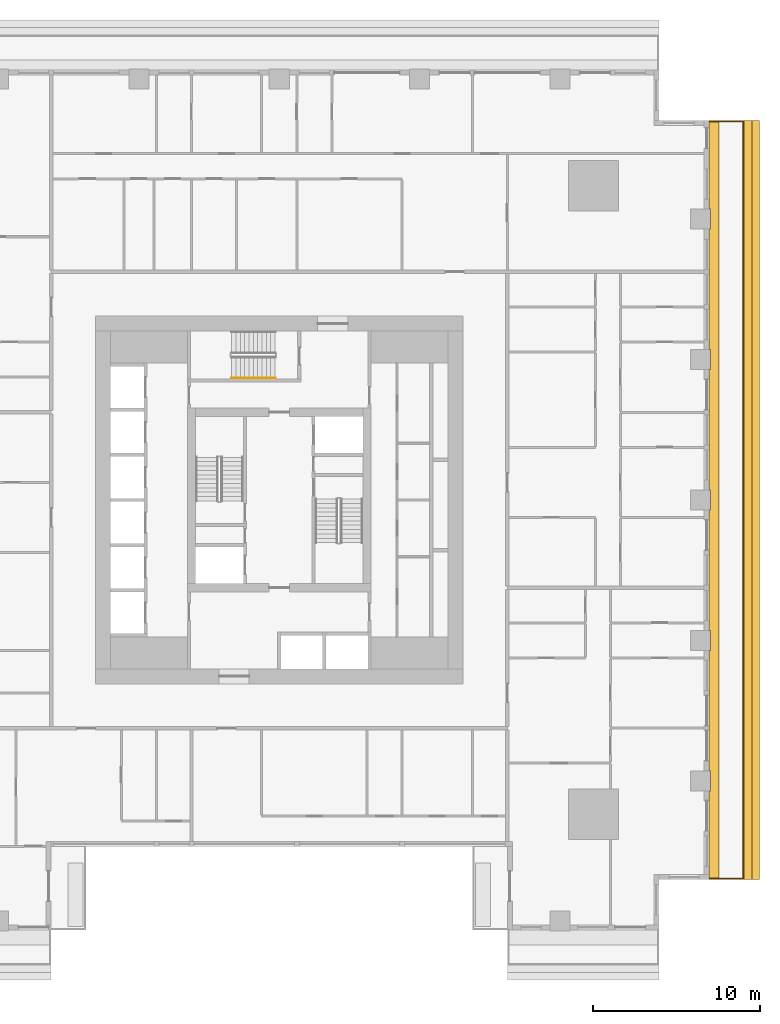
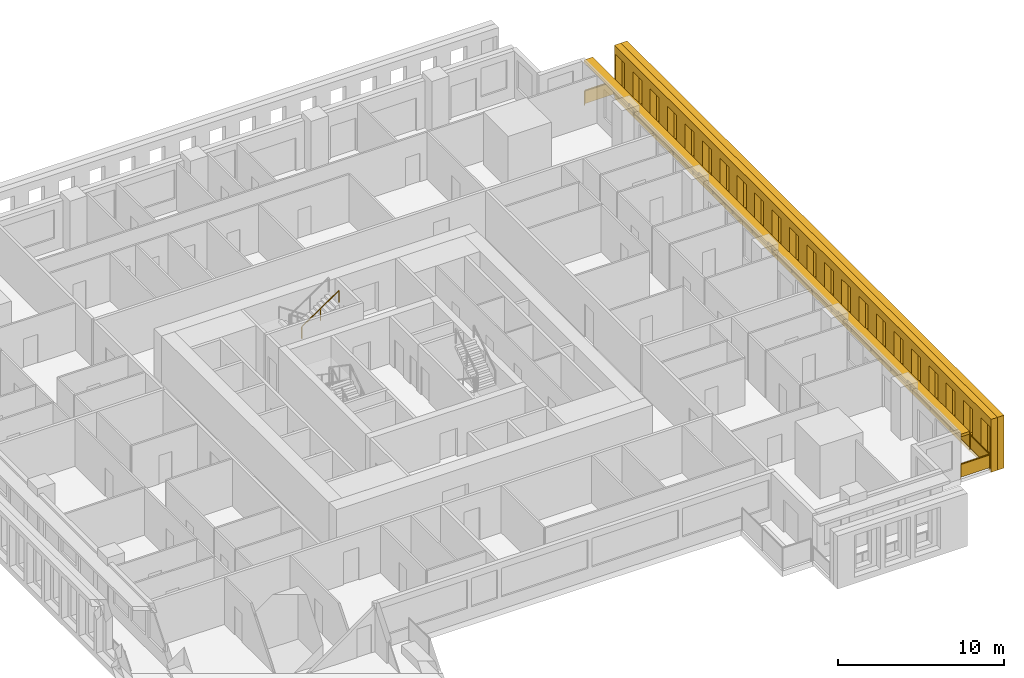
# One storey, part 12 of 14: 3 shading devices, 2 railings.
"""IFC4 building model written with IfcOpenShell, lengths in metres."""

from ifc_helpers import new_model, si_unit, direction, frame, origin, origin_2d, place, context, subcontext, project, spatial, polyline, rectangle, outline, extrude, material, layer, layer_set, type_object, element, save


model = new_model("IFC4")

# Units and contexts
model_context = context("Model", 3, precision=1e-05, world=origin(), true_north=direction((0.0, 1.0)))
body_context = subcontext(model_context, "Body", "Model", "MODEL_VIEW")
ifc_project = project(units=[si_unit("LENGTHUNIT", "METRE"), si_unit("AREAUNIT", "SQUARE_METRE"), si_unit("VOLUMEUNIT", "CUBIC_METRE"), si_unit("PLANEANGLEUNIT", "RADIAN"), si_unit("MASSUNIT", "GRAM", prefix="KILO")], contexts=[model_context])

# Site, building, storey
site_placement = place(None, origin())
site = spatial("IfcSite", under=ifc_project, at=site_placement, CompositionType="ELEMENT")
building_placement = place(site_placement, origin())
building = spatial("IfcBuilding", under=site, at=building_placement, Name="Khepri Terraces", CompositionType="ELEMENT")
storey_placement = place(building_placement, frame((0.0, 0.0, 66.0)))
storey = spatial("IfcBuildingStorey", under=building, at=storey_placement, Name="L15", CompositionType="ELEMENT", Elevation=66.0)

# Railings
ifc_material_1 = material(Name="Stainless steel grade 316", Category="steel")
railing_type_1 = type_object("IfcRailingType", Name="GRD-BAL-1100", PredefinedType="GUARDRAIL", material=ifc_material_1)
railing_1_placement = place(storey_placement, frame((25.719970703125, -22.669921875, 0.0)))
element("IfcRailing", 1, at=railing_1_placement, inside=storey, type_object=railing_type_1, Name="Balcony guard L15 E", PredefinedType="GUARDRAIL", context=body_context, shape_type="SweptSolid", body=[
    extrude(rectangle(XDim=0.050048828125, YDim=0.06005859375, at=origin_2d()), frame((0.0, 0.0, 1.070068359375), z_axis=(1.0, 0.0, 0.0), x_axis=(0.0, 1.0, 0.0)), (0.0, 0.0, 1.0), 2.050048828125),
    extrude(rectangle(XDim=2.0, YDim=0.011962890625, at=origin_2d()), frame((1.02490234375, 0.0, 0.10009765625), z_axis=(0.0, 0.0, 1.0), x_axis=(1.0, 0.0, 0.0)), (0.0, 0.0, 1.0), 0.93994140625),
    extrude(rectangle(XDim=0.050048828125, YDim=0.06005859375, at=origin_2d()), frame((2.050048828125, 0.0, 1.070068359375), z_axis=(0.0, 1.0, 0.0), x_axis=(-1.0, 0.0, 0.0)), (0.0, 0.0, 1.0), 45.33984375),
    extrude(rectangle(XDim=2.336181640625, YDim=0.011962890625, at=origin_2d()), frame((2.050048828125, 1.193115234375, 0.10009765625), z_axis=(0.0, 0.0, 1.0), x_axis=(0.0, 1.0, 0.0)), (0.0, 0.0, 1.0), 0.93994140625),
    extrude(rectangle(XDim=2.336181640625, YDim=0.011962890625, at=origin_2d()), frame((2.050048828125, 3.579345703125, 0.10009765625), z_axis=(0.0, 0.0, 1.0), x_axis=(0.0, 1.0, 0.0)), (0.0, 0.0, 1.0), 0.93994140625),
    extrude(rectangle(XDim=2.336181640625, YDim=0.011962890625, at=origin_2d()), frame((2.050048828125, 5.9658203125, 0.10009765625), z_axis=(0.0, 0.0, 1.0), x_axis=(0.0, 1.0, 0.0)), (0.0, 0.0, 1.0), 0.93994140625),
    extrude(rectangle(XDim=2.336181640625, YDim=0.011962890625, at=origin_2d()), frame((2.050048828125, 8.35205078125, 0.10009765625), z_axis=(0.0, 0.0, 1.0), x_axis=(0.0, 1.0, 0.0)), (0.0, 0.0, 1.0), 0.93994140625),
    extrude(rectangle(XDim=2.336181640625, YDim=0.011962890625, at=origin_2d()), frame((2.050048828125, 10.73828125, 0.10009765625), z_axis=(0.0, 0.0, 1.0), x_axis=(0.0, 1.0, 0.0)), (0.0, 0.0, 1.0), 0.93994140625),
    extrude(rectangle(XDim=2.336181640625, YDim=0.011962890625, at=origin_2d()), frame((2.050048828125, 13.124755859375, 0.10009765625), z_axis=(0.0, 0.0, 1.0), x_axis=(0.0, 1.0, 0.0)), (0.0, 0.0, 1.0), 0.93994140625),
    extrude(rectangle(XDim=2.336181640625, YDim=0.011962890625, at=origin_2d()), frame((2.050048828125, 15.510986328125, 0.10009765625), z_axis=(0.0, 0.0, 1.0), x_axis=(0.0, 1.0, 0.0)), (0.0, 0.0, 1.0), 0.93994140625),
    extrude(rectangle(XDim=2.336181640625, YDim=0.011962890625, at=origin_2d()), frame((2.050048828125, 17.897216796875, 0.10009765625), z_axis=(0.0, 0.0, 1.0), x_axis=(0.0, 1.0, 0.0)), (0.0, 0.0, 1.0), 0.93994140625),
    extrude(rectangle(XDim=2.336181640625, YDim=0.011962890625, at=origin_2d()), frame((2.050048828125, 20.28369140625, 0.10009765625), z_axis=(0.0, 0.0, 1.0), x_axis=(0.0, 1.0, 0.0)), (0.0, 0.0, 1.0), 0.93994140625),
    extrude(rectangle(XDim=2.336181640625, YDim=0.011962890625, at=origin_2d()), frame((2.050048828125, 22.669921875, 0.10009765625), z_axis=(0.0, 0.0, 1.0), x_axis=(0.0, 1.0, 0.0)), (0.0, 0.0, 1.0), 0.93994140625),
    extrude(rectangle(XDim=2.336181640625, YDim=0.011962890625, at=origin_2d()), frame((2.050048828125, 25.05615234375, 0.10009765625), z_axis=(0.0, 0.0, 1.0), x_axis=(0.0, 1.0, 0.0)), (0.0, 0.0, 1.0), 0.93994140625),
    extrude(rectangle(XDim=2.336181640625, YDim=0.011962890625, at=origin_2d()), frame((2.050048828125, 27.442626953125, 0.10009765625), z_axis=(0.0, 0.0, 1.0), x_axis=(0.0, 1.0, 0.0)), (0.0, 0.0, 1.0), 0.93994140625),
    extrude(rectangle(XDim=2.336181640625, YDim=0.011962890625, at=origin_2d()), frame((2.050048828125, 29.828857421875, 0.10009765625), z_axis=(0.0, 0.0, 1.0), x_axis=(0.0, 1.0, 0.0)), (0.0, 0.0, 1.0), 0.93994140625),
    extrude(rectangle(XDim=2.336181640625, YDim=0.011962890625, at=origin_2d()), frame((2.050048828125, 32.215087890625, 0.10009765625), z_axis=(0.0, 0.0, 1.0), x_axis=(0.0, 1.0, 0.0)), (0.0, 0.0, 1.0), 0.93994140625),
    extrude(rectangle(XDim=2.336181640625, YDim=0.011962890625, at=origin_2d()), frame((2.050048828125, 34.6015625, 0.10009765625), z_axis=(0.0, 0.0, 1.0), x_axis=(0.0, 1.0, 0.0)), (0.0, 0.0, 1.0), 0.93994140625),
    extrude(rectangle(XDim=2.336181640625, YDim=0.011962890625, at=origin_2d()), frame((2.050048828125, 36.98779296875, 0.10009765625), z_axis=(0.0, 0.0, 1.0), x_axis=(0.0, 1.0, 0.0)), (0.0, 0.0, 1.0), 0.93994140625),
    extrude(rectangle(XDim=2.336181640625, YDim=0.011962890625, at=origin_2d()), frame((2.050048828125, 39.3740234375, 0.10009765625), z_axis=(0.0, 0.0, 1.0), x_axis=(0.0, 1.0, 0.0)), (0.0, 0.0, 1.0), 0.93994140625),
    extrude(rectangle(XDim=2.336181640625, YDim=0.011962890625, at=origin_2d()), frame((2.050048828125, 41.760498046875, 0.10009765625), z_axis=(0.0, 0.0, 1.0), x_axis=(0.0, 1.0, 0.0)), (0.0, 0.0, 1.0), 0.93994140625),
    extrude(rectangle(XDim=2.336181640625, YDim=0.011962890625, at=origin_2d()), frame((2.050048828125, 44.146728515625, 0.10009765625), z_axis=(0.0, 0.0, 1.0), x_axis=(0.0, 1.0, 0.0)), (0.0, 0.0, 1.0), 0.93994140625),
    extrude(rectangle(XDim=0.050048828125, YDim=0.06005859375, at=origin_2d()), frame((2.050048828125, 45.33984375, 1.070068359375), z_axis=(-1.0, 0.0, 0.0), x_axis=(0.0, -1.0, 0.0)), (0.0, 0.0, 1.0), 2.050048828125),
    extrude(rectangle(XDim=2.0, YDim=0.011962890625, at=origin_2d()), frame((1.02490234375, 45.33984375, 0.10009765625), z_axis=(0.0, 0.0, 1.0), x_axis=(-1.0, 0.0, 0.0)), (0.0, 0.0, 1.0), 0.93994140625),
    extrude(rectangle(XDim=0.050048828125, YDim=0.050048828125, at=origin_2d()), origin(), (0.0, 0.0, 1.0), 1.0400390625),
    extrude(rectangle(XDim=0.050048828125, YDim=0.050048828125, at=origin_2d()), frame((2.050048828125, 0.0, 0.0)), (0.0, 0.0, 1.0), 1.0400390625),
    extrude(rectangle(XDim=0.050048828125, YDim=0.050048828125, at=origin_2d()), frame((2.050048828125, 2.38623046875, 0.0)), (0.0, 0.0, 1.0), 1.0400390625),
    extrude(rectangle(XDim=0.050048828125, YDim=0.050048828125, at=origin_2d()), frame((2.050048828125, 4.772705078125, 0.0)), (0.0, 0.0, 1.0), 1.0400390625),
    extrude(rectangle(XDim=0.050048828125, YDim=0.050048828125, at=origin_2d()), frame((2.050048828125, 7.158935546875, 0.0)), (0.0, 0.0, 1.0), 1.0400390625),
    extrude(rectangle(XDim=0.050048828125, YDim=0.050048828125, at=origin_2d()), frame((2.050048828125, 9.545166015625, 0.0)), (0.0, 0.0, 1.0), 1.0400390625),
    extrude(rectangle(XDim=0.050048828125, YDim=0.050048828125, at=origin_2d()), frame((2.050048828125, 11.931640625, 0.0)), (0.0, 0.0, 1.0), 1.0400390625),
    extrude(rectangle(XDim=0.050048828125, YDim=0.050048828125, at=origin_2d()), frame((2.050048828125, 14.31787109375, 0.0)), (0.0, 0.0, 1.0), 1.0400390625),
    extrude(rectangle(XDim=0.050048828125, YDim=0.050048828125, at=origin_2d()), frame((2.050048828125, 16.7041015625, 0.0)), (0.0, 0.0, 1.0), 1.0400390625),
    extrude(rectangle(XDim=0.050048828125, YDim=0.050048828125, at=origin_2d()), frame((2.050048828125, 19.090576171875, 0.0)), (0.0, 0.0, 1.0), 1.0400390625),
    extrude(rectangle(XDim=0.050048828125, YDim=0.050048828125, at=origin_2d()), frame((2.050048828125, 21.476806640625, 0.0)), (0.0, 0.0, 1.0), 1.0400390625),
    extrude(rectangle(XDim=0.050048828125, YDim=0.050048828125, at=origin_2d()), frame((2.050048828125, 23.863037109375, 0.0)), (0.0, 0.0, 1.0), 1.0400390625),
    extrude(rectangle(XDim=0.050048828125, YDim=0.050048828125, at=origin_2d()), frame((2.050048828125, 26.249267578125, 0.0)), (0.0, 0.0, 1.0), 1.0400390625),
    extrude(rectangle(XDim=0.050048828125, YDim=0.050048828125, at=origin_2d()), frame((2.050048828125, 28.6357421875, 0.0)), (0.0, 0.0, 1.0), 1.0400390625),
    extrude(rectangle(XDim=0.050048828125, YDim=0.050048828125, at=origin_2d()), frame((2.050048828125, 31.02197265625, 0.0)), (0.0, 0.0, 1.0), 1.0400390625),
    extrude(rectangle(XDim=0.050048828125, YDim=0.050048828125, at=origin_2d()), frame((2.050048828125, 33.408203125, 0.0)), (0.0, 0.0, 1.0), 1.0400390625),
    extrude(rectangle(XDim=0.050048828125, YDim=0.050048828125, at=origin_2d()), frame((2.050048828125, 35.794677734375, 0.0)), (0.0, 0.0, 1.0), 1.0400390625),
    extrude(rectangle(XDim=0.050048828125, YDim=0.050048828125, at=origin_2d()), frame((2.050048828125, 38.180908203125, 0.0)), (0.0, 0.0, 1.0), 1.0400390625),
    extrude(rectangle(XDim=0.050048828125, YDim=0.050048828125, at=origin_2d()), frame((2.050048828125, 40.567138671875, 0.0)), (0.0, 0.0, 1.0), 1.0400390625),
    extrude(rectangle(XDim=0.050048828125, YDim=0.050048828125, at=origin_2d()), frame((2.050048828125, 42.95361328125, 0.0)), (0.0, 0.0, 1.0), 1.0400390625),
    extrude(rectangle(XDim=0.050048828125, YDim=0.050048828125, at=origin_2d()), frame((2.050048828125, 45.33984375, 0.0)), (0.0, 0.0, 1.0), 1.0400390625),
    extrude(rectangle(XDim=0.050048828125, YDim=0.050048828125, at=origin_2d()), frame((0.0, 45.33984375, 0.0)), (0.0, 0.0, 1.0), 1.0400390625),
])
ifc_material_2 = material(Name="Stainless steel 316", Category="steel")
railing_type_2 = type_object("IfcRailingType", Name="RL-CORE-HANDRAIL", PredefinedType="HANDRAIL", material=ifc_material_2)
railing_2_placement = place(storey_placement, frame((-2.85009765625, 7.300048828125, 2.127197265625)))
element("IfcRailing", 2, at=railing_2_placement, inside=storey, type_object=railing_type_2, Name="L15 ST-3 stair handrail 2", PredefinedType="HANDRAIL", context=body_context, shape_type="SweptSolid", body=[
    extrude(rectangle(XDim=0.050048828125, YDim=0.050048828125, at=origin_2d()), frame((0.0, 0.0, 0.875), z_axis=(0.826240473404, 0.0, 0.563317565952), x_axis=(0.0, 1.0, 0.0)), (0.0, 0.0, 1.0), 3.14697265625),
    extrude(rectangle(XDim=0.050048828125, YDim=0.050048828125, at=origin_2d()), origin(), (0.0, 0.0, 1.0), 0.849853515625),
    extrude(rectangle(XDim=0.050048828125, YDim=0.050048828125, at=origin_2d()), frame((1.300048828125, 0.0, 0.88623046875)), (0.0, 0.0, 1.0), 0.849853515625),
    extrude(rectangle(XDim=0.050048828125, YDim=0.050048828125, at=origin_2d()), frame((2.60009765625, 0.0, 1.772705078125)), (0.0, 0.0, 1.0), 0.849853515625),
])

# Shading devices
ifc_material_3 = material(Name="Precast concrete C50/60 warm stone", Category="masonry")
shading_device_type_1 = type_object("IfcShadingDeviceType", Name="SCR-CELL-INNER-450", PredefinedType="USERDEFINED", material=ifc_material_3)
shading_device_1_placement = place(storey_placement, frame((27.820068359375, -22.719970703125, -0.25), z_axis=(1.0, 0.0, 0.0), x_axis=(0.0, 1.0, 0.0)))
element("IfcShadingDevice", 3, at=shading_device_1_placement, inside=storey, type_object=shading_device_type_1, Name="Cell screen L15 E in", ObjectType="SCREEN", PredefinedType="USERDEFINED", context=body_context, shape_type="SweptSolid", body=[
    extrude(outline(polyline([(0.0, 0.0), (45.43994140625, 0.0), (45.43994140625, 3.89990234375), (0.0, 3.89990234375), (0.0, 0.0)]), holes=[polyline([(0.126708984375, 0.699951171875), (1.21337890625, 0.699951171875), (1.21337890625, 3.300048828125), (0.126708984375, 3.300048828125), (0.126708984375, 0.699951171875)]), polyline([(2.2265625, 0.699951171875), (3.3134765625, 0.699951171875), (3.3134765625, 3.300048828125), (2.2265625, 3.300048828125), (2.2265625, 0.699951171875)]), polyline([(4.32666015625, 0.699951171875), (5.413330078125, 0.699951171875), (5.413330078125, 3.300048828125), (4.32666015625, 3.300048828125), (4.32666015625, 0.699951171875)]), polyline([(6.426513671875, 0.699951171875), (7.513427734375, 0.699951171875), (7.513427734375, 3.300048828125), (6.426513671875, 3.300048828125), (6.426513671875, 0.699951171875)]), polyline([(8.526611328125, 0.699951171875), (9.61328125, 0.699951171875), (9.61328125, 3.300048828125), (8.526611328125, 3.300048828125), (8.526611328125, 0.699951171875)]), polyline([(10.626708984375, 0.699951171875), (11.71337890625, 0.699951171875), (11.71337890625, 3.300048828125), (10.626708984375, 3.300048828125), (10.626708984375, 0.699951171875)]), polyline([(12.7265625, 0.699951171875), (13.8134765625, 0.699951171875), (13.8134765625, 3.300048828125), (12.7265625, 3.300048828125), (12.7265625, 0.699951171875)]), polyline([(14.82666015625, 0.699951171875), (15.913330078125, 0.699951171875), (15.913330078125, 3.300048828125), (14.82666015625, 3.300048828125), (14.82666015625, 0.699951171875)]), polyline([(16.926513671875, 0.699951171875), (18.013427734375, 0.699951171875), (18.013427734375, 3.300048828125), (16.926513671875, 3.300048828125), (16.926513671875, 0.699951171875)]), polyline([(19.026611328125, 0.699951171875), (20.11328125, 0.699951171875), (20.11328125, 3.300048828125), (19.026611328125, 3.300048828125), (19.026611328125, 0.699951171875)]), polyline([(21.126708984375, 0.699951171875), (22.21337890625, 0.699951171875), (22.21337890625, 3.300048828125), (21.126708984375, 3.300048828125), (21.126708984375, 0.699951171875)]), polyline([(23.2265625, 0.699951171875), (24.3134765625, 0.699951171875), (24.3134765625, 3.300048828125), (23.2265625, 3.300048828125), (23.2265625, 0.699951171875)]), polyline([(25.32666015625, 0.699951171875), (26.413330078125, 0.699951171875), (26.413330078125, 3.300048828125), (25.32666015625, 3.300048828125), (25.32666015625, 0.699951171875)]), polyline([(27.426513671875, 0.699951171875), (28.513427734375, 0.699951171875), (28.513427734375, 3.300048828125), (27.426513671875, 3.300048828125), (27.426513671875, 0.699951171875)]), polyline([(29.526611328125, 0.699951171875), (30.61328125, 0.699951171875), (30.61328125, 3.300048828125), (29.526611328125, 3.300048828125), (29.526611328125, 0.699951171875)]), polyline([(31.626708984375, 0.699951171875), (32.71337890625, 0.699951171875), (32.71337890625, 3.300048828125), (31.626708984375, 3.300048828125), (31.626708984375, 0.699951171875)]), polyline([(33.7265625, 0.699951171875), (34.8134765625, 0.699951171875), (34.8134765625, 3.300048828125), (33.7265625, 3.300048828125), (33.7265625, 0.699951171875)]), polyline([(35.82666015625, 0.699951171875), (36.913330078125, 0.699951171875), (36.913330078125, 3.300048828125), (35.82666015625, 3.300048828125), (35.82666015625, 0.699951171875)]), polyline([(37.926513671875, 0.699951171875), (39.013427734375, 0.699951171875), (39.013427734375, 3.300048828125), (37.926513671875, 3.300048828125), (37.926513671875, 0.699951171875)]), polyline([(40.026611328125, 0.699951171875), (41.11328125, 0.699951171875), (41.11328125, 3.300048828125), (40.026611328125, 3.300048828125), (40.026611328125, 0.699951171875)]), polyline([(42.126708984375, 0.699951171875), (43.21337890625, 0.699951171875), (43.21337890625, 3.300048828125), (42.126708984375, 3.300048828125), (42.126708984375, 0.699951171875)]), polyline([(44.2265625, 0.699951171875), (45.3134765625, 0.699951171875), (45.3134765625, 3.300048828125), (44.2265625, 3.300048828125), (44.2265625, 0.699951171875)])]), origin(), (0.0, 0.0, 1.0), 0.449951171875),
])
shading_device_type_2 = type_object("IfcShadingDeviceType", Name="SCR-CELL-OUTER-450", PredefinedType="USERDEFINED", material=ifc_material_3)
shading_device_2_placement = place(storey_placement, frame((28.27001953125, -22.719970703125, -0.25), z_axis=(1.0, 0.0, 0.0), x_axis=(0.0, 1.0, 0.0)))
element("IfcShadingDevice", 4, at=shading_device_2_placement, inside=storey, type_object=shading_device_type_2, Name="Cell screen L15 E out", ObjectType="SCREEN", PredefinedType="USERDEFINED", context=body_context, shape_type="SweptSolid", body=[
    extrude(outline(polyline([(0.0, 0.0), (45.43994140625, 0.0), (45.43994140625, 3.89990234375), (0.0, 3.89990234375), (0.0, 0.0)]), holes=[polyline([(1.876708984375, 0.449951171875), (3.663330078125, 0.449951171875), (3.663330078125, 3.550048828125), (1.876708984375, 3.550048828125), (1.876708984375, 0.449951171875)]), polyline([(3.9765625, 0.449951171875), (5.763427734375, 0.449951171875), (5.763427734375, 3.550048828125), (3.9765625, 3.550048828125), (3.9765625, 0.449951171875)]), polyline([(6.07666015625, 0.449951171875), (7.86328125, 0.449951171875), (7.86328125, 3.550048828125), (6.07666015625, 3.550048828125), (6.07666015625, 0.449951171875)]), polyline([(8.176513671875, 0.449951171875), (9.96337890625, 0.449951171875), (9.96337890625, 3.550048828125), (8.176513671875, 3.550048828125), (8.176513671875, 0.449951171875)]), polyline([(10.276611328125, 0.449951171875), (12.0634765625, 0.449951171875), (12.0634765625, 3.550048828125), (10.276611328125, 3.550048828125), (10.276611328125, 0.449951171875)]), polyline([(12.376708984375, 0.449951171875), (14.163330078125, 0.449951171875), (14.163330078125, 3.550048828125), (12.376708984375, 3.550048828125), (12.376708984375, 0.449951171875)]), polyline([(14.4765625, 0.449951171875), (16.263427734375, 0.449951171875), (16.263427734375, 3.550048828125), (14.4765625, 3.550048828125), (14.4765625, 0.449951171875)]), polyline([(16.57666015625, 0.449951171875), (18.36328125, 0.449951171875), (18.36328125, 3.550048828125), (16.57666015625, 3.550048828125), (16.57666015625, 0.449951171875)]), polyline([(18.676513671875, 0.449951171875), (20.46337890625, 0.449951171875), (20.46337890625, 3.550048828125), (18.676513671875, 3.550048828125), (18.676513671875, 0.449951171875)]), polyline([(20.776611328125, 0.449951171875), (22.5634765625, 0.449951171875), (22.5634765625, 3.550048828125), (20.776611328125, 3.550048828125), (20.776611328125, 0.449951171875)]), polyline([(22.876708984375, 0.449951171875), (24.663330078125, 0.449951171875), (24.663330078125, 3.550048828125), (22.876708984375, 3.550048828125), (22.876708984375, 0.449951171875)]), polyline([(24.9765625, 0.449951171875), (26.763427734375, 0.449951171875), (26.763427734375, 3.550048828125), (24.9765625, 3.550048828125), (24.9765625, 0.449951171875)]), polyline([(27.07666015625, 0.449951171875), (28.86328125, 0.449951171875), (28.86328125, 3.550048828125), (27.07666015625, 3.550048828125), (27.07666015625, 0.449951171875)]), polyline([(29.176513671875, 0.449951171875), (30.96337890625, 0.449951171875), (30.96337890625, 3.550048828125), (29.176513671875, 3.550048828125), (29.176513671875, 0.449951171875)]), polyline([(31.276611328125, 0.449951171875), (33.0634765625, 0.449951171875), (33.0634765625, 3.550048828125), (31.276611328125, 3.550048828125), (31.276611328125, 0.449951171875)]), polyline([(33.376708984375, 0.449951171875), (35.163330078125, 0.449951171875), (35.163330078125, 3.550048828125), (33.376708984375, 3.550048828125), (33.376708984375, 0.449951171875)]), polyline([(35.4765625, 0.449951171875), (37.263427734375, 0.449951171875), (37.263427734375, 3.550048828125), (35.4765625, 3.550048828125), (35.4765625, 0.449951171875)]), polyline([(37.57666015625, 0.449951171875), (39.36328125, 0.449951171875), (39.36328125, 3.550048828125), (37.57666015625, 3.550048828125), (37.57666015625, 0.449951171875)]), polyline([(39.676513671875, 0.449951171875), (41.46337890625, 0.449951171875), (41.46337890625, 3.550048828125), (39.676513671875, 3.550048828125), (39.676513671875, 0.449951171875)]), polyline([(41.776611328125, 0.449951171875), (43.5634765625, 0.449951171875), (43.5634765625, 3.550048828125), (41.776611328125, 3.550048828125), (41.776611328125, 0.449951171875)])]), origin(), (0.0, 0.0, 1.0), 0.449951171875),
])
ifc_layer = layer(ifc_material_3, 0.199951171875, Name="Precast concrete C50/60 warm stone", Category="masonry")
ifc_layer_set = layer_set([ifc_layer], Name="Precast concrete C50/60 warm stone")
shading_device_type_3 = type_object("IfcShadingDeviceType", Name="SSH-BAND-STONE-200-N", PredefinedType="USERDEFINED", material=ifc_layer_set)
shading_device_3_placement = place(storey_placement, frame((0.0, 0.0, 3.10009765625)))
element("IfcShadingDevice", 5, at=shading_device_3_placement, inside=storey, type_object=shading_device_type_3, Name="Sunshade band L15 E", ObjectType="SUNSHADE", PredefinedType="USERDEFINED", context=body_context, shape_type="SweptSolid", body=[
    extrude(outline(polyline([(25.719970703125, -17.39990234375), (25.719970703125, -22.719970703125), (26.320068359375, -22.719970703125), (26.320068359375, 22.719970703125), (25.719970703125, 22.719970703125), (25.719970703125, 17.39990234375), (25.800048828125, 17.39990234375), (25.800048828125, 16.199951171875), (25.719970703125, 16.199951171875), (25.719970703125, 9.0), (25.800048828125, 9.0), (25.800048828125, 7.800048828125), (25.719970703125, 7.800048828125), (25.719970703125, 0.60009765625), (25.800048828125, 0.60009765625), (25.800048828125, -0.60009765625), (25.719970703125, -0.60009765625), (25.719970703125, -7.800048828125), (25.800048828125, -7.800048828125), (25.800048828125, -9.0), (25.719970703125, -9.0), (25.719970703125, -16.199951171875), (25.800048828125, -16.199951171875), (25.800048828125, -17.39990234375), (25.719970703125, -17.39990234375)])), origin(), (0.0, 0.0, 1.0), 0.199951171875),
])

save(model, "model.ifc")
